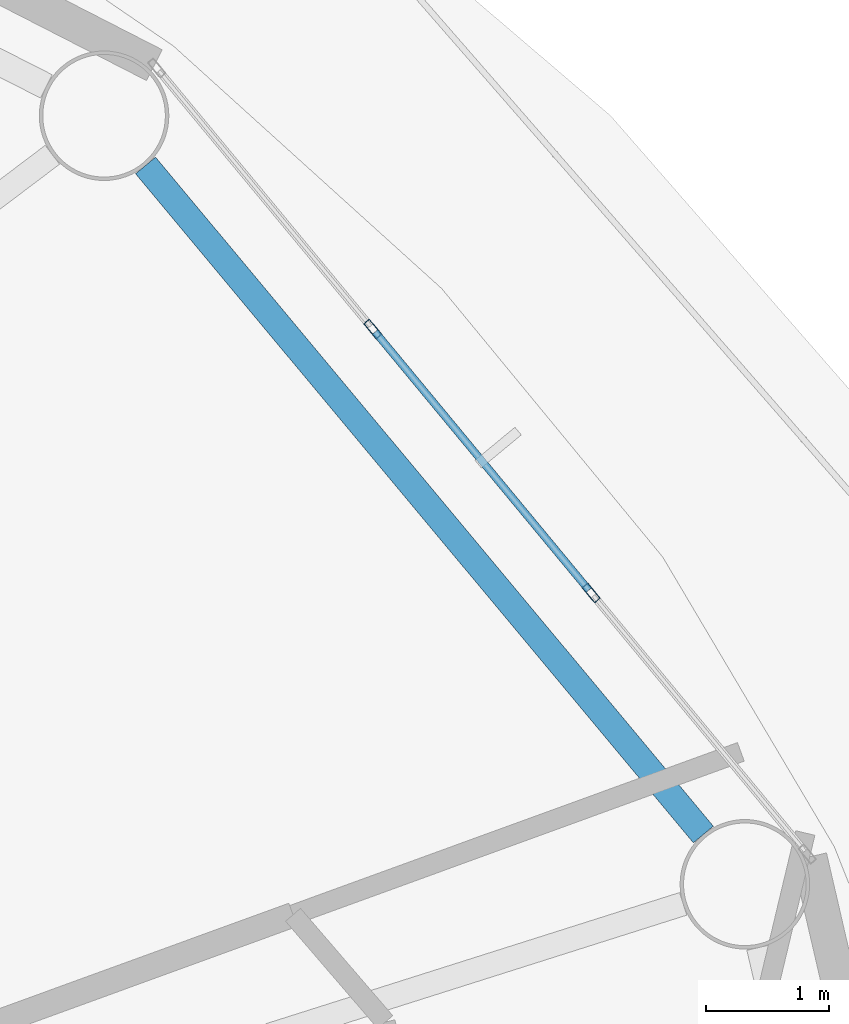
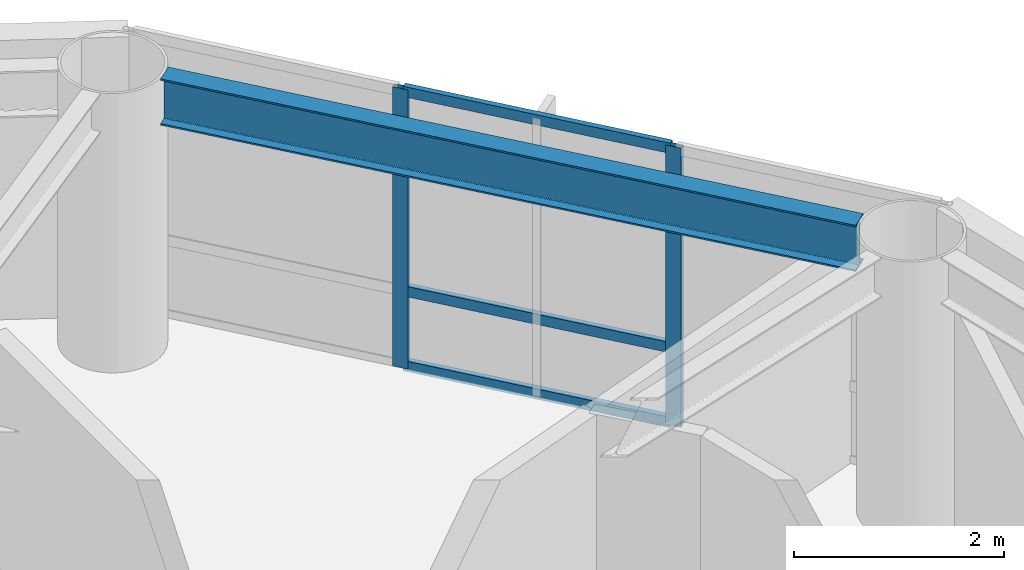
# One storey, part 9 of 24: 5 members, 1 beam, 1 element without a shape of its own.
"""IFC4 building model written with IfcOpenShell, lengths in metres."""

from ifc_helpers import new_model, si_unit, direction, frame, origin, origin_2d, place, context, subcontext, project, spatial, hollow_rectangle, i_section, extrude, material, layer, layer_set, material_profile, profile_set, type_object, element, aggregate, save


model = new_model("IFC4")

# Units and contexts
model_context = context("Model", 3, precision=1e-05, world=origin(), true_north=direction((0.0, 1.0)))
body_context = subcontext(model_context, "Body", "Model", "MODEL_VIEW")
ifc_project = project(units=[si_unit("LENGTHUNIT", "METRE"), si_unit("AREAUNIT", "SQUARE_METRE"), si_unit("VOLUMEUNIT", "CUBIC_METRE"), si_unit("PLANEANGLEUNIT", "RADIAN"), si_unit("MASSUNIT", "GRAM", prefix="KILO")], contexts=[model_context])

# Site, building, storey
site_placement = place(None, origin())
site = spatial("IfcSite", under=ifc_project, at=site_placement, CompositionType="ELEMENT")
building_placement = place(site_placement, origin())
building = spatial("IfcBuilding", under=site, at=building_placement, Name="Sarneth Arch Tower", CompositionType="ELEMENT")
storey_placement = place(building_placement, frame((0.0, 0.0, 253.199951171875)))
storey = spatial("IfcBuildingStorey", under=building, at=storey_placement, Name="L65", CompositionType="ELEMENT", Elevation=253.199951171875)

# Beam
ifc_material_1 = material(Name="Steel S355", Category="steel")
ifc_material_profile_1 = material_profile(ifc_material_1, i_section(OverallWidth=0.2109375, OverallDepth=0.5390625, WebThickness=0.01171875, FlangeThickness=0.018798828125, FilletRadius=0.01806640625, at=origin_2d()), Name="W530x109")
ifc_profile_set_1 = profile_set([ifc_material_profile_1], Name="Steel S355")
beam_type = type_object("IfcBeamType", Name="BM-RAD-530B", PredefinedType="BEAM", material=ifc_profile_set_1)
beam_placement = place(storey_placement, frame((70.83251953125, 49.750732421875, 2.98046875), z_axis=(-0.640364654985, 0.76807103099, 0.0), x_axis=(-0.76807103099, -0.640364654985, 0.0)))
element("IfcBeam", 1, at=beam_placement, inside=storey, type_object=beam_type, Name="L65 Perimeter spandrel beam 02", PredefinedType="BEAM", context=body_context, shape_type="SweptSolid", body=[
    extrude(i_section(OverallWidth=0.2109375, OverallDepth=0.5390625, WebThickness=0.01171875, FlangeThickness=0.018798828125, FilletRadius=0.01806640625, at=origin_2d()), origin(), (0.0, 0.0, 1.0), 7.06005859375),
])

# Curtain wall, members
ifc_material_2 = material(Name="Anodised aluminium Type AA25 and solar-control low-e laminated IGU", Category="aluminium")
ifc_layer = layer(ifc_material_2, 0.179931640625)
ifc_layer_set = layer_set([ifc_layer], Name="Anodised aluminium Type AA25 and solar-control low-e laminated IGU")
curtain_wall_type = type_object("IfcCurtainWallType", Name="CW-RES-HIGH", PredefinedType="NOTDEFINED", material=ifc_layer_set)
curtain_wall_placement = place(storey_placement, origin())
curtain_wall = element("IfcCurtainWall", 2, at=curtain_wall_placement, inside=storey, type_object=curtain_wall_type, Name="L65 Unitised curtain wall facet 02", PredefinedType="NOTDEFINED")
ifc_material_3 = material(Name="Anodised Aluminium 6063-T6", Category="aluminium")
ifc_material_profile_2 = material_profile(ifc_material_3, hollow_rectangle(XDim=0.06005859375, YDim=0.159912109375, WallThickness=0.00390625, at=origin_2d()), Name="AL-MULL-160x60x4")
ifc_profile_set_2 = profile_set([ifc_material_profile_2], Name="Anodised Aluminium 6063-T6")
member_type_1 = type_object("IfcMemberType", Name="CW-MULLION", PredefinedType="MULLION", material=ifc_profile_set_2)
member_1_placement = place(storey_placement, frame((69.92333984375, 51.70849609375, 0.0), z_axis=(0.0, 0.0, 1.0), x_axis=(-0.770359245933, -0.637610094184, 0.0)))
member_1 = element("IfcMember", 3, at=member_1_placement, type_object=member_type_1, Name="CW-SYS-6 mullion 2", PredefinedType="MULLION", context=body_context, shape_type="SweptSolid", body=[
    extrude(hollow_rectangle(XDim=0.06005859375, YDim=0.159912109375, WallThickness=0.00390625, at=origin_2d()), origin(), (0.0, 0.0, 1.0), 3.25),
])
member_2_placement = place(storey_placement, frame((68.15283203125, 53.84765625, 0.0), z_axis=(0.0, 0.0, 1.0), x_axis=(-0.770359245933, -0.637610094184, 0.0)))
member_2 = element("IfcMember", 4, at=member_2_placement, type_object=member_type_1, Name="CW-SYS-6 mullion 3", PredefinedType="MULLION", context=body_context, shape_type="SweptSolid", body=[
    extrude(hollow_rectangle(XDim=0.06005859375, YDim=0.159912109375, WallThickness=0.00390625, at=origin_2d()), origin(), (0.0, 0.0, 1.0), 3.25),
])
ifc_material_4 = material(Name="Anodised Aluminium 6063-T6", Category="aluminium")
ifc_material_profile_3 = material_profile(ifc_material_4, hollow_rectangle(XDim=0.06005859375, YDim=0.1201171875, WallThickness=0.00390625, at=origin_2d()), Name="AL-TRAN-120x60x4")
ifc_profile_set_3 = profile_set([ifc_material_profile_3], Name="Anodised Aluminium 6063-T6")
member_type_2 = type_object("IfcMemberType", Name="CW-TRANSOM", PredefinedType="USERDEFINED", material=ifc_profile_set_3)
member_3_placement = place(storey_placement, frame((69.904296875, 51.731689453125, 0.030029296875), z_axis=(-0.637617371902, 0.770353222261, 0.0), x_axis=(-0.770353222261, -0.637617371902, 0.0)))
member_3 = element("IfcMember", 5, at=member_3_placement, type_object=member_type_2, Name="CW-SYS-6 transom 2.1", ObjectType="TRANSOM", PredefinedType="USERDEFINED", context=body_context, shape_type="SweptSolid", body=[
    extrude(hollow_rectangle(XDim=0.06005859375, YDim=0.1201171875, WallThickness=0.00390625, at=origin_2d()), origin(), (0.0, 0.0, 1.0), 2.716552734375),
])
member_4_placement = place(storey_placement, frame((69.904296875, 51.731689453125, 0.900146484375), z_axis=(-0.637617371902, 0.770353222261, 0.0), x_axis=(-0.770353222261, -0.637617371902, 0.0)))
member_4 = element("IfcMember", 6, at=member_4_placement, type_object=member_type_2, Name="CW-SYS-6 transom 2.2", ObjectType="TRANSOM", PredefinedType="USERDEFINED", context=body_context, shape_type="SweptSolid", body=[
    extrude(hollow_rectangle(XDim=0.06005859375, YDim=0.1201171875, WallThickness=0.00390625, at=origin_2d()), origin(), (0.0, 0.0, 1.0), 2.716552734375),
])
member_5_placement = place(storey_placement, frame((69.904296875, 51.731689453125, 3.219970703125), z_axis=(-0.637617371902, 0.770353222261, 0.0), x_axis=(-0.770353222261, -0.637617371902, 0.0)))
member_5 = element("IfcMember", 7, at=member_5_placement, type_object=member_type_2, Name="CW-SYS-6 transom 2.3", ObjectType="TRANSOM", PredefinedType="USERDEFINED", context=body_context, shape_type="SweptSolid", body=[
    extrude(hollow_rectangle(XDim=0.06005859375, YDim=0.1201171875, WallThickness=0.00390625, at=origin_2d()), origin(), (0.0, 0.0, 1.0), 2.716552734375),
])
aggregate(curtain_wall, [member_1, member_2, member_3, member_4, member_5])

save(model, "model.ifc")
